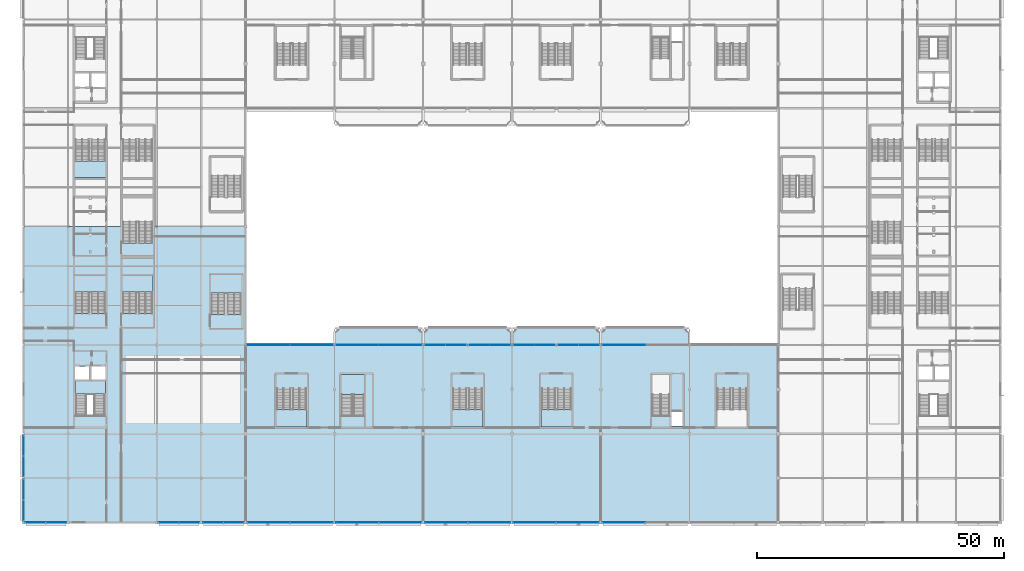
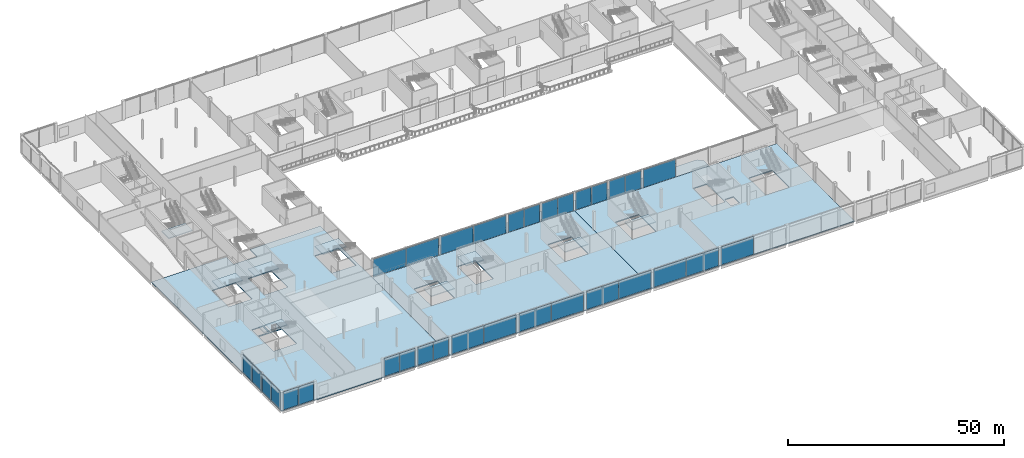
# One storey, part 60 of 113: 32 plates, 16 slabs, 26 elements without a shape of their own.
"""IFC4 building model written with IfcOpenShell, lengths in metres."""

from ifc_helpers import new_model, si_unit, direction, frame, origin, origin_2d, place, context, subcontext, project, spatial, polyline, rectangle, outline, extrude, material, layer, layer_set, type_object, element, aggregate, save


model = new_model("IFC4")

# Units and contexts
model_context = context("Model", 3, precision=1e-05, world=origin(), true_north=direction((0.0, 1.0)))
body_context = subcontext(model_context, "Body", "Model", "MODEL_VIEW")
ifc_project = project(units=[si_unit("LENGTHUNIT", "METRE"), si_unit("AREAUNIT", "SQUARE_METRE"), si_unit("VOLUMEUNIT", "CUBIC_METRE"), si_unit("PLANEANGLEUNIT", "RADIAN"), si_unit("MASSUNIT", "GRAM", prefix="KILO")], contexts=[model_context])

# Site, building, storey
site_placement = place(None, origin())
site = spatial("IfcSite", under=ifc_project, at=site_placement, CompositionType="ELEMENT")
building_placement = place(site_placement, origin())
building = spatial("IfcBuilding", under=site, at=building_placement, Name="Kisiwana Market Hall", CompositionType="ELEMENT")
storey_placement = place(building_placement, frame((0.0, 0.0, 6.0)))
storey = spatial("IfcBuildingStorey", under=building, at=storey_placement, Name="L01", CompositionType="ELEMENT", Elevation=6.0)

# Curtain wall, plates
ifc_material_1 = material(Name="Double-glazed solar-control low-E IGU", Category="glass")
ifc_layer_1 = layer(ifc_material_1, 0.159912109375)
ifc_layer_set_1 = layer_set([ifc_layer_1], Name="CW-FC-S-7600")
curtain_wall_type_1 = type_object("IfcCurtainWallType", Name="CW-FC-S-7600", PredefinedType="USERDEFINED", material=ifc_layer_set_1)
curtain_wall_1_placement = place(storey_placement, origin())
curtain_wall_1 = element("IfcCurtainWall", 1, at=curtain_wall_1_placement, inside=storey, type_object=curtain_wall_type_1, Name="Unitised curtain wall CW-005 (L01)", ObjectType="UNITISED CURTAIN WALL", PredefinedType="USERDEFINED")
ifc_material_2 = material(Name="Double-glazed solar-control low-E IGU", Category="glass")
ifc_layer_2 = layer(ifc_material_2, 0.02392578125)
ifc_layer_set_2 = layer_set([ifc_layer_2], Name="PL-IGU-24")
plate_type_1 = type_object("IfcPlateType", Name="PL-IGU-24", PredefinedType="CURTAIN_PANEL", material=ifc_layer_set_2)
plate_1_placement = place(storey_placement, frame((2.427490234375, 0.0, 0.06005859375), z_axis=(0.0, 0.0, 1.0), x_axis=(1.0, 0.0, 0.0)))
plate_1 = element("IfcPlate", 2, at=plate_1_placement, type_object=plate_type_1, Name="CW-005 panel 1.1", PredefinedType="CURTAIN_PANEL", context=body_context, shape_type="SweptSolid", body=[
    extrude(rectangle(XDim=4.0849609375, YDim=0.02392578125, at=origin_2d()), origin(), (0.0, 0.0, 1.0), 5.030029296875),
])
plate_2_placement = place(storey_placement, frame((6.572509765625, 0.0, 0.06005859375), z_axis=(0.0, 0.0, 1.0), x_axis=(1.0, 0.0, 0.0)))
plate_2 = element("IfcPlate", 3, at=plate_2_placement, type_object=plate_type_1, Name="CW-005 panel 2.1", PredefinedType="CURTAIN_PANEL", context=body_context, shape_type="SweptSolid", body=[
    extrude(rectangle(XDim=4.0849609375, YDim=0.02392578125, at=origin_2d()), origin(), (0.0, 0.0, 1.0), 5.030029296875),
])
aggregate(curtain_wall_1, [plate_1, plate_2])

curtain_wall_2_placement = place(storey_placement, origin())
curtain_wall_2 = element("IfcCurtainWall", 4, at=curtain_wall_2_placement, inside=storey, type_object=curtain_wall_type_1, Name="Unitised curtain wall CW-007 (L01)", ObjectType="UNITISED CURTAIN WALL", PredefinedType="USERDEFINED")
plate_3_placement = place(storey_placement, frame((38.427490234375, 0.0, 0.06005859375), z_axis=(0.0, 0.0, 1.0), x_axis=(1.0, 0.0, 0.0)))
plate_3 = element("IfcPlate", 5, at=plate_3_placement, type_object=plate_type_1, Name="CW-007 panel 1.1", PredefinedType="CURTAIN_PANEL", context=body_context, shape_type="SweptSolid", body=[
    extrude(rectangle(XDim=4.0849609375, YDim=0.02392578125, at=origin_2d()), origin(), (0.0, 0.0, 1.0), 5.030029296875),
])
plate_4_placement = place(storey_placement, frame((42.572509765625, 0.0, 0.06005859375), z_axis=(0.0, 0.0, 1.0), x_axis=(1.0, 0.0, 0.0)))
plate_4 = element("IfcPlate", 6, at=plate_4_placement, type_object=plate_type_1, Name="CW-007 panel 2.1", PredefinedType="CURTAIN_PANEL", context=body_context, shape_type="SweptSolid", body=[
    extrude(rectangle(XDim=4.0849609375, YDim=0.02392578125, at=origin_2d()), origin(), (0.0, 0.0, 1.0), 5.030029296875),
])
aggregate(curtain_wall_2, [plate_3, plate_4])

curtain_wall_3_placement = place(storey_placement, origin())
curtain_wall_3 = element("IfcCurtainWall", 7, at=curtain_wall_3_placement, inside=storey, type_object=curtain_wall_type_1, Name="Unitised curtain wall CW-009 (L01)", ObjectType="UNITISED CURTAIN WALL", PredefinedType="USERDEFINED")
plate_5_placement = place(storey_placement, frame((67.677490234375, 0.0, 0.06005859375), z_axis=(0.0, 0.0, 1.0), x_axis=(1.0, 0.0, 0.0)))
plate_5 = element("IfcPlate", 8, at=plate_5_placement, type_object=plate_type_1, Name="CW-009 panel 1.1", PredefinedType="CURTAIN_PANEL", context=body_context, shape_type="SweptSolid", body=[
    extrude(rectangle(XDim=8.5849609375, YDim=0.02392578125, at=origin_2d()), origin(), (0.0, 0.0, 1.0), 5.030029296875),
])
plate_6_placement = place(storey_placement, frame((76.322509765625, 0.0, 0.06005859375), z_axis=(0.0, 0.0, 1.0), x_axis=(1.0, 0.0, 0.0)))
plate_6 = element("IfcPlate", 9, at=plate_6_placement, type_object=plate_type_1, Name="CW-009 panel 2.1", PredefinedType="CURTAIN_PANEL", context=body_context, shape_type="SweptSolid", body=[
    extrude(rectangle(XDim=8.5849609375, YDim=0.02392578125, at=origin_2d()), origin(), (0.0, 0.0, 1.0), 5.030029296875),
])
aggregate(curtain_wall_3, [plate_5, plate_6])

curtain_wall_4_placement = place(storey_placement, origin())
curtain_wall_4 = element("IfcCurtainWall", 10, at=curtain_wall_4_placement, inside=storey, type_object=curtain_wall_type_1, Name="Unitised curtain wall CW-011 (L01)", ObjectType="UNITISED CURTAIN WALL", PredefinedType="USERDEFINED")
plate_7_placement = place(storey_placement, frame((103.677490234375, 0.0, 0.06005859375), z_axis=(0.0, 0.0, 1.0), x_axis=(1.0, 0.0, 0.0)))
plate_7 = element("IfcPlate", 11, at=plate_7_placement, type_object=plate_type_1, Name="CW-011 panel 1.1", PredefinedType="CURTAIN_PANEL", context=body_context, shape_type="SweptSolid", body=[
    extrude(rectangle(XDim=8.5849609375, YDim=0.02392578125, at=origin_2d()), origin(), (0.0, 0.0, 1.0), 5.030029296875),
])
plate_8_placement = place(storey_placement, frame((112.322509765625, 0.0, 0.06005859375), z_axis=(0.0, 0.0, 1.0), x_axis=(1.0, 0.0, 0.0)))
plate_8 = element("IfcPlate", 12, at=plate_8_placement, type_object=plate_type_1, Name="CW-011 panel 2.1", PredefinedType="CURTAIN_PANEL", context=body_context, shape_type="SweptSolid", body=[
    extrude(rectangle(XDim=8.5849609375, YDim=0.02392578125, at=origin_2d()), origin(), (0.0, 0.0, 1.0), 5.030029296875),
])
aggregate(curtain_wall_4, [plate_7, plate_8])

ifc_material_3 = material(Name="Double-glazed solar-control low-E IGU", Category="glass")
ifc_layer_3 = layer(ifc_material_3, 0.159912109375)
ifc_layer_set_3 = layer_set([ifc_layer_3], Name="CW-FC-N-8100")
curtain_wall_type_2 = type_object("IfcCurtainWallType", Name="CW-FC-N-8100", PredefinedType="USERDEFINED", material=ifc_layer_set_3)
curtain_wall_5_placement = place(storey_placement, origin())
curtain_wall_5 = element("IfcCurtainWall", 13, at=curtain_wall_5_placement, inside=storey, type_object=curtain_wall_type_2, Name="Unitised curtain wall CW-017 (L01)", ObjectType="UNITISED CURTAIN WALL", PredefinedType="USERDEFINED")
plate_9_placement = place(storey_placement, frame((49.617919921875, 36.0, 0.06005859375), z_axis=(0.0, 0.0, 1.0), x_axis=(1.0, 0.0, 0.0)))
plate_9 = element("IfcPlate", 14, at=plate_9_placement, type_object=plate_type_1, Name="CW-017 panel 1.1", PredefinedType="CURTAIN_PANEL", context=body_context, shape_type="SweptSolid", body=[
    extrude(rectangle(XDim=8.7041015625, YDim=0.02392578125, at=origin_2d()), origin(), (0.0, 0.0, 1.0), 5.030029296875),
])
plate_10_placement = place(storey_placement, frame((58.382080078125, 36.0, 0.06005859375), z_axis=(0.0, 0.0, 1.0), x_axis=(1.0, 0.0, 0.0)))
plate_10 = element("IfcPlate", 15, at=plate_10_placement, type_object=plate_type_1, Name="CW-017 panel 2.1", PredefinedType="CURTAIN_PANEL", context=body_context, shape_type="SweptSolid", body=[
    extrude(rectangle(XDim=8.7041015625, YDim=0.02392578125, at=origin_2d()), origin(), (0.0, 0.0, 1.0), 5.030029296875),
])
aggregate(curtain_wall_5, [plate_9, plate_10])

curtain_wall_6_placement = place(storey_placement, origin())
curtain_wall_6 = element("IfcCurtainWall", 16, at=curtain_wall_6_placement, inside=storey, type_object=curtain_wall_type_2, Name="Unitised curtain wall CW-019 (L01)", ObjectType="UNITISED CURTAIN WALL", PredefinedType="USERDEFINED")
plate_11_placement = place(storey_placement, frame((83.367919921875, 36.0, 0.06005859375), z_axis=(0.0, 0.0, 1.0), x_axis=(1.0, 0.0, 0.0)))
plate_11 = element("IfcPlate", 17, at=plate_11_placement, type_object=plate_type_1, Name="CW-019 panel 1.1", PredefinedType="CURTAIN_PANEL", context=body_context, shape_type="SweptSolid", body=[
    extrude(rectangle(XDim=4.2041015625, YDim=0.02392578125, at=origin_2d()), origin(), (0.0, 0.0, 1.0), 5.030029296875),
])
plate_12_placement = place(storey_placement, frame((87.632080078125, 36.0, 0.06005859375), z_axis=(0.0, 0.0, 1.0), x_axis=(1.0, 0.0, 0.0)))
plate_12 = element("IfcPlate", 18, at=plate_12_placement, type_object=plate_type_1, Name="CW-019 panel 2.1", PredefinedType="CURTAIN_PANEL", context=body_context, shape_type="SweptSolid", body=[
    extrude(rectangle(XDim=4.2041015625, YDim=0.02392578125, at=origin_2d()), origin(), (0.0, 0.0, 1.0), 5.030029296875),
])
aggregate(curtain_wall_6, [plate_11, plate_12])

curtain_wall_7_placement = place(storey_placement, origin())
curtain_wall_7 = element("IfcCurtainWall", 19, at=curtain_wall_7_placement, inside=storey, type_object=curtain_wall_type_2, Name="Unitised curtain wall CW-021 (L01)", ObjectType="UNITISED CURTAIN WALL", PredefinedType="USERDEFINED")
plate_13_placement = place(storey_placement, frame((101.367919921875, 36.0, 0.06005859375), z_axis=(0.0, 0.0, 1.0), x_axis=(1.0, 0.0, 0.0)))
plate_13 = element("IfcPlate", 20, at=plate_13_placement, type_object=plate_type_1, Name="CW-021 panel 1.1", PredefinedType="CURTAIN_PANEL", context=body_context, shape_type="SweptSolid", body=[
    extrude(rectangle(XDim=4.2041015625, YDim=0.02392578125, at=origin_2d()), origin(), (0.0, 0.0, 1.0), 5.030029296875),
])
plate_14_placement = place(storey_placement, frame((105.632080078125, 36.0, 0.06005859375), z_axis=(0.0, 0.0, 1.0), x_axis=(1.0, 0.0, 0.0)))
plate_14 = element("IfcPlate", 21, at=plate_14_placement, type_object=plate_type_1, Name="CW-021 panel 2.1", PredefinedType="CURTAIN_PANEL", context=body_context, shape_type="SweptSolid", body=[
    extrude(rectangle(XDim=4.2041015625, YDim=0.02392578125, at=origin_2d()), origin(), (0.0, 0.0, 1.0), 5.030029296875),
])
aggregate(curtain_wall_7, [plate_13, plate_14])

# Curtain wall, plate
curtain_wall_8_placement = place(storey_placement, origin())
curtain_wall_8 = element("IfcCurtainWall", 22, at=curtain_wall_8_placement, inside=storey, type_object=curtain_wall_type_2, Name="Unitised curtain wall CW-023 (L01)", ObjectType="UNITISED CURTAIN WALL", PredefinedType="USERDEFINED")
plate_15_placement = place(storey_placement, frame((121.617919921875, 36.0, 0.06005859375), z_axis=(0.0, 0.0, 1.0), x_axis=(1.0, 0.0, 0.0)))
plate_15 = element("IfcPlate", 23, at=plate_15_placement, type_object=plate_type_1, Name="CW-023 panel 1.1", PredefinedType="CURTAIN_PANEL", context=body_context, shape_type="SweptSolid", body=[
    extrude(rectangle(XDim=8.7041015625, YDim=0.02392578125, at=origin_2d()), origin(), (0.0, 0.0, 1.0), 5.030029296875),
])
aggregate(curtain_wall_8, [plate_15])

# Curtain wall, plates
curtain_wall_9_placement = place(storey_placement, origin())
curtain_wall_9 = element("IfcCurtainWall", 24, at=curtain_wall_9_placement, inside=storey, type_object=curtain_wall_type_1, Name="Unitised curtain wall CW-045 (L01)", ObjectType="UNITISED CURTAIN WALL", PredefinedType="USERDEFINED")
plate_16_placement = place(storey_placement, frame((0.0, 2.4580078125, 0.06005859375), z_axis=(0.0, 0.0, 1.0), x_axis=(0.0, 1.0, 0.0)))
plate_16 = element("IfcPlate", 25, at=plate_16_placement, type_object=plate_type_1, Name="CW-045 panel 1.1", PredefinedType="CURTAIN_PANEL", context=body_context, shape_type="SweptSolid", body=[
    extrude(rectangle(XDim=4.14599609375, YDim=0.02392578125, at=origin_2d()), origin(), (0.0, 0.0, 1.0), 5.030029296875),
])
plate_17_placement = place(storey_placement, frame((0.0, 6.663818359375, 0.06005859375), z_axis=(0.0, 0.0, 1.0), x_axis=(0.0, 1.0, 0.0)))
plate_17 = element("IfcPlate", 26, at=plate_17_placement, type_object=plate_type_1, Name="CW-045 panel 2.1", PredefinedType="CURTAIN_PANEL", context=body_context, shape_type="SweptSolid", body=[
    extrude(rectangle(XDim=4.14599609375, YDim=0.02392578125, at=origin_2d()), origin(), (0.0, 0.0, 1.0), 5.030029296875),
])
aggregate(curtain_wall_9, [plate_16, plate_17])

curtain_wall_10_placement = place(storey_placement, origin())
curtain_wall_10 = element("IfcCurtainWall", 27, at=curtain_wall_10_placement, inside=storey, type_object=curtain_wall_type_1, Name="Unitised curtain wall CW-006 (L01)", ObjectType="UNITISED CURTAIN WALL", PredefinedType="USERDEFINED")
ifc_material_4 = material(Name="Double-glazed acoustic laminated IGU", Category="glass")
ifc_layer_4 = layer(ifc_material_4, 0.028076171875)
ifc_layer_set_4 = layer_set([ifc_layer_4], Name="PL-IGU-28")
plate_type_2 = type_object("IfcPlateType", Name="PL-IGU-28", PredefinedType="CURTAIN_PANEL", material=ifc_layer_set_4)
plate_18_placement = place(storey_placement, frame((29.427490234375, 0.0, 0.06005859375), z_axis=(0.0, 0.0, 1.0), x_axis=(1.0, 0.0, 0.0)))
plate_18 = element("IfcPlate", 28, at=plate_18_placement, type_object=plate_type_2, Name="CW-006 panel 1.1", PredefinedType="CURTAIN_PANEL", context=body_context, shape_type="SweptSolid", body=[
    extrude(rectangle(XDim=4.0849609375, YDim=0.028076171875, at=origin_2d()), origin(), (0.0, 0.0, 1.0), 5.030029296875),
])
plate_19_placement = place(storey_placement, frame((33.572509765625, 0.0, 0.06005859375), z_axis=(0.0, 0.0, 1.0), x_axis=(1.0, 0.0, 0.0)))
plate_19 = element("IfcPlate", 29, at=plate_19_placement, type_object=plate_type_2, Name="CW-006 panel 2.1", PredefinedType="CURTAIN_PANEL", context=body_context, shape_type="SweptSolid", body=[
    extrude(rectangle(XDim=4.0849609375, YDim=0.028076171875, at=origin_2d()), origin(), (0.0, 0.0, 1.0), 5.030029296875),
])
aggregate(curtain_wall_10, [plate_18, plate_19])

curtain_wall_11_placement = place(storey_placement, origin())
curtain_wall_11 = element("IfcCurtainWall", 30, at=curtain_wall_11_placement, inside=storey, type_object=curtain_wall_type_1, Name="Unitised curtain wall CW-008 (L01)", ObjectType="UNITISED CURTAIN WALL", PredefinedType="USERDEFINED")
plate_20_placement = place(storey_placement, frame((49.677490234375, 0.0, 0.06005859375), z_axis=(0.0, 0.0, 1.0), x_axis=(1.0, 0.0, 0.0)))
plate_20 = element("IfcPlate", 31, at=plate_20_placement, type_object=plate_type_2, Name="CW-008 panel 1.1", PredefinedType="CURTAIN_PANEL", context=body_context, shape_type="SweptSolid", body=[
    extrude(rectangle(XDim=8.5849609375, YDim=0.028076171875, at=origin_2d()), origin(), (0.0, 0.0, 1.0), 5.030029296875),
])
plate_21_placement = place(storey_placement, frame((58.322509765625, 0.0, 0.06005859375), z_axis=(0.0, 0.0, 1.0), x_axis=(1.0, 0.0, 0.0)))
plate_21 = element("IfcPlate", 32, at=plate_21_placement, type_object=plate_type_2, Name="CW-008 panel 2.1", PredefinedType="CURTAIN_PANEL", context=body_context, shape_type="SweptSolid", body=[
    extrude(rectangle(XDim=8.5849609375, YDim=0.028076171875, at=origin_2d()), origin(), (0.0, 0.0, 1.0), 5.030029296875),
])
aggregate(curtain_wall_11, [plate_20, plate_21])

curtain_wall_12_placement = place(storey_placement, origin())
curtain_wall_12 = element("IfcCurtainWall", 33, at=curtain_wall_12_placement, inside=storey, type_object=curtain_wall_type_1, Name="Unitised curtain wall CW-010 (L01)", ObjectType="UNITISED CURTAIN WALL", PredefinedType="USERDEFINED")
plate_22_placement = place(storey_placement, frame((85.677490234375, 0.0, 0.06005859375), z_axis=(0.0, 0.0, 1.0), x_axis=(1.0, 0.0, 0.0)))
plate_22 = element("IfcPlate", 34, at=plate_22_placement, type_object=plate_type_2, Name="CW-010 panel 1.1", PredefinedType="CURTAIN_PANEL", context=body_context, shape_type="SweptSolid", body=[
    extrude(rectangle(XDim=8.5849609375, YDim=0.028076171875, at=origin_2d()), origin(), (0.0, 0.0, 1.0), 5.030029296875),
])
plate_23_placement = place(storey_placement, frame((94.322509765625, 0.0, 0.06005859375), z_axis=(0.0, 0.0, 1.0), x_axis=(1.0, 0.0, 0.0)))
plate_23 = element("IfcPlate", 35, at=plate_23_placement, type_object=plate_type_2, Name="CW-010 panel 2.1", PredefinedType="CURTAIN_PANEL", context=body_context, shape_type="SweptSolid", body=[
    extrude(rectangle(XDim=8.5849609375, YDim=0.028076171875, at=origin_2d()), origin(), (0.0, 0.0, 1.0), 5.030029296875),
])
aggregate(curtain_wall_12, [plate_22, plate_23])

# Curtain wall, plate
curtain_wall_13_placement = place(storey_placement, origin())
curtain_wall_13 = element("IfcCurtainWall", 36, at=curtain_wall_13_placement, inside=storey, type_object=curtain_wall_type_1, Name="Unitised curtain wall CW-012 (L01)", ObjectType="UNITISED CURTAIN WALL", PredefinedType="USERDEFINED")
plate_24_placement = place(storey_placement, frame((121.677490234375, 0.0, 0.06005859375), z_axis=(0.0, 0.0, 1.0), x_axis=(1.0, 0.0, 0.0)))
plate_24 = element("IfcPlate", 37, at=plate_24_placement, type_object=plate_type_2, Name="CW-012 panel 1.1", PredefinedType="CURTAIN_PANEL", context=body_context, shape_type="SweptSolid", body=[
    extrude(rectangle(XDim=8.5849609375, YDim=0.028076171875, at=origin_2d()), origin(), (0.0, 0.0, 1.0), 5.030029296875),
])
aggregate(curtain_wall_13, [plate_24])

# Curtain wall, plates
curtain_wall_14_placement = place(storey_placement, origin())
curtain_wall_14 = element("IfcCurtainWall", 38, at=curtain_wall_14_placement, inside=storey, type_object=curtain_wall_type_2, Name="Unitised curtain wall CW-018 (L01)", ObjectType="UNITISED CURTAIN WALL", PredefinedType="USERDEFINED")
plate_25_placement = place(storey_placement, frame((67.617919921875, 36.0, 0.06005859375), z_axis=(0.0, 0.0, 1.0), x_axis=(1.0, 0.0, 0.0)))
plate_25 = element("IfcPlate", 39, at=plate_25_placement, type_object=plate_type_2, Name="CW-018 panel 1.1", PredefinedType="CURTAIN_PANEL", context=body_context, shape_type="SweptSolid", body=[
    extrude(rectangle(XDim=8.7041015625, YDim=0.028076171875, at=origin_2d()), origin(), (0.0, 0.0, 1.0), 5.030029296875),
])
plate_26_placement = place(storey_placement, frame((76.382080078125, 36.0, 0.06005859375), z_axis=(0.0, 0.0, 1.0), x_axis=(1.0, 0.0, 0.0)))
plate_26 = element("IfcPlate", 40, at=plate_26_placement, type_object=plate_type_2, Name="CW-018 panel 2.1", PredefinedType="CURTAIN_PANEL", context=body_context, shape_type="SweptSolid", body=[
    extrude(rectangle(XDim=8.7041015625, YDim=0.028076171875, at=origin_2d()), origin(), (0.0, 0.0, 1.0), 5.030029296875),
])
aggregate(curtain_wall_14, [plate_25, plate_26])

curtain_wall_15_placement = place(storey_placement, origin())
curtain_wall_15 = element("IfcCurtainWall", 41, at=curtain_wall_15_placement, inside=storey, type_object=curtain_wall_type_2, Name="Unitised curtain wall CW-020 (L01)", ObjectType="UNITISED CURTAIN WALL", PredefinedType="USERDEFINED")
plate_27_placement = place(storey_placement, frame((92.367919921875, 36.0, 0.06005859375), z_axis=(0.0, 0.0, 1.0), x_axis=(1.0, 0.0, 0.0)))
plate_27 = element("IfcPlate", 42, at=plate_27_placement, type_object=plate_type_2, Name="CW-020 panel 1.1", PredefinedType="CURTAIN_PANEL", context=body_context, shape_type="SweptSolid", body=[
    extrude(rectangle(XDim=4.2041015625, YDim=0.028076171875, at=origin_2d()), origin(), (0.0, 0.0, 1.0), 5.030029296875),
])
plate_28_placement = place(storey_placement, frame((96.632080078125, 36.0, 0.06005859375), z_axis=(0.0, 0.0, 1.0), x_axis=(1.0, 0.0, 0.0)))
plate_28 = element("IfcPlate", 43, at=plate_28_placement, type_object=plate_type_2, Name="CW-020 panel 2.1", PredefinedType="CURTAIN_PANEL", context=body_context, shape_type="SweptSolid", body=[
    extrude(rectangle(XDim=4.2041015625, YDim=0.028076171875, at=origin_2d()), origin(), (0.0, 0.0, 1.0), 5.030029296875),
])
aggregate(curtain_wall_15, [plate_27, plate_28])

curtain_wall_16_placement = place(storey_placement, origin())
curtain_wall_16 = element("IfcCurtainWall", 44, at=curtain_wall_16_placement, inside=storey, type_object=curtain_wall_type_2, Name="Unitised curtain wall CW-022 (L01)", ObjectType="UNITISED CURTAIN WALL", PredefinedType="USERDEFINED")
plate_29_placement = place(storey_placement, frame((110.367919921875, 36.0, 0.06005859375), z_axis=(0.0, 0.0, 1.0), x_axis=(1.0, 0.0, 0.0)))
plate_29 = element("IfcPlate", 45, at=plate_29_placement, type_object=plate_type_2, Name="CW-022 panel 1.1", PredefinedType="CURTAIN_PANEL", context=body_context, shape_type="SweptSolid", body=[
    extrude(rectangle(XDim=4.2041015625, YDim=0.028076171875, at=origin_2d()), origin(), (0.0, 0.0, 1.0), 5.030029296875),
])
plate_30_placement = place(storey_placement, frame((114.632080078125, 36.0, 0.06005859375), z_axis=(0.0, 0.0, 1.0), x_axis=(1.0, 0.0, 0.0)))
plate_30 = element("IfcPlate", 46, at=plate_30_placement, type_object=plate_type_2, Name="CW-022 panel 2.1", PredefinedType="CURTAIN_PANEL", context=body_context, shape_type="SweptSolid", body=[
    extrude(rectangle(XDim=4.2041015625, YDim=0.028076171875, at=origin_2d()), origin(), (0.0, 0.0, 1.0), 5.030029296875),
])
aggregate(curtain_wall_16, [plate_29, plate_30])

curtain_wall_17_placement = place(storey_placement, origin())
curtain_wall_17 = element("IfcCurtainWall", 47, at=curtain_wall_17_placement, inside=storey, type_object=curtain_wall_type_1, Name="Unitised curtain wall CW-046 (L01)", ObjectType="UNITISED CURTAIN WALL", PredefinedType="USERDEFINED")
plate_31_placement = place(storey_placement, frame((0.0, 11.363037109375, 0.06005859375), z_axis=(0.0, 0.0, 1.0), x_axis=(0.0, 1.0, 0.0)))
plate_31 = element("IfcPlate", 48, at=plate_31_placement, type_object=plate_type_2, Name="CW-046 panel 1.1", PredefinedType="CURTAIN_PANEL", context=body_context, shape_type="SweptSolid", body=[
    extrude(rectangle(XDim=4.19970703125, YDim=0.028076171875, at=origin_2d()), origin(), (0.0, 0.0, 1.0), 5.030029296875),
])
plate_32_placement = place(storey_placement, frame((0.0, 15.62255859375, 0.06005859375), z_axis=(0.0, 0.0, 1.0), x_axis=(0.0, 1.0, 0.0)))
plate_32 = element("IfcPlate", 49, at=plate_32_placement, type_object=plate_type_2, Name="CW-046 panel 2.1", PredefinedType="CURTAIN_PANEL", context=body_context, shape_type="SweptSolid", body=[
    extrude(rectangle(XDim=4.19970703125, YDim=0.028076171875, at=origin_2d()), origin(), (0.0, 0.0, 1.0), 5.030029296875),
])
aggregate(curtain_wall_17, [plate_31, plate_32])

# Stair, slab
ifc_material_5 = material(Name="Concrete C32/40", Category="concrete")
stair_type_1 = type_object("IfcStairType", Name="ST-POD-5400", PredefinedType="TWO_STRAIGHT_RUN_STAIR", material=ifc_material_5)
stair_1_placement = place(storey_placement, origin())
stair_1 = element("IfcStair", 50, at=stair_1_placement, inside=storey, type_object=stair_type_1, Name="Escape stair ST-W2-L01", PredefinedType="TWO_STRAIGHT_RUN_STAIR")
ifc_material_6 = material(Name="Concrete C32/40", Category="concrete")
ifc_layer_5 = layer(ifc_material_6, 0.239990234375)
ifc_layer_set_5 = layer_set([ifc_layer_5], Name="SL-LANDING-160")
slab_type_1 = type_object("IfcSlabType", Name="SL-LANDING-160", PredefinedType="LANDING", material=ifc_layer_set_5)
slab_1_placement = place(storey_placement, frame((0.0, 0.0, 2.4599609375)))
slab_1 = element("IfcSlab", 51, at=slab_1_placement, type_object=slab_type_1, Name="ST-W2-L01 landing 1 S-130", PredefinedType="LANDING", context=body_context, shape_type="SweptSolid", body=[
    extrude(outline(polyline([(10.405029296875, 26.02392578125), (16.594970703125, 26.02392578125), (16.594970703125, 28.64501953125), (10.405029296875, 28.64501953125), (10.405029296875, 26.02392578125)])), origin(), (0.0, 0.0, 1.0), 0.239990234375),
])
aggregate(stair_1, [slab_1])

stair_2_placement = place(storey_placement, origin())
stair_2 = element("IfcStair", 52, at=stair_2_placement, inside=storey, type_object=stair_type_1, Name="Escape stair ST-S1-L01", PredefinedType="TWO_STRAIGHT_RUN_STAIR")
slab_2_placement = place(storey_placement, frame((0.0, 0.0, 2.4599609375)))
slab_2 = element("IfcSlab", 53, at=slab_2_placement, type_object=slab_type_1, Name="ST-S1-L01 landing 1 S-122", PredefinedType="LANDING", context=body_context, shape_type="SweptSolid", body=[
    extrude(outline(polyline([(64.360107421875, 25.97900390625), (69.10009765625, 25.97900390625), (69.10009765625, 30.0400390625), (64.360107421875, 30.0400390625), (64.360107421875, 25.97900390625)])), origin(), (0.0, 0.0, 1.0), 0.239990234375),
])
aggregate(stair_2, [slab_2])

ifc_material_7 = material(Name="Concrete C32/40", Category="concrete")
stair_type_2 = type_object("IfcStairType", Name="ST-ESC-5400", PredefinedType="TWO_STRAIGHT_RUN_STAIR", material=ifc_material_7)
stair_3_placement = place(storey_placement, origin())
stair_3 = element("IfcStair", 54, at=stair_3_placement, inside=storey, type_object=stair_type_2, Name="Escape stair ST-W3-L01", PredefinedType="TWO_STRAIGHT_RUN_STAIR")
slab_3_placement = place(storey_placement, frame((0.0, 0.0, 2.4599609375)))
slab_3 = element("IfcSlab", 55, at=slab_3_placement, type_object=slab_type_1, Name="ST-W3-L01 landing 1 S-131", PredefinedType="LANDING", context=body_context, shape_type="SweptSolid", body=[
    extrude(outline(polyline([(10.340087890625, 46.70947265625), (16.659912109375, 46.70947265625), (16.659912109375, 50.06005859375), (10.340087890625, 50.06005859375), (10.340087890625, 46.70947265625)])), origin(), (0.0, 0.0, 1.0), 0.239990234375),
])
aggregate(stair_3, [slab_3])

stair_4_placement = place(storey_placement, origin())
stair_4 = element("IfcStair", 56, at=stair_4_placement, inside=storey, type_object=stair_type_2, Name="Escape stair ST-W4-L01", PredefinedType="TWO_STRAIGHT_RUN_STAIR")
slab_4_placement = place(storey_placement, frame((0.0, 0.0, 2.4599609375)))
slab_4 = element("IfcSlab", 57, at=slab_4_placement, type_object=slab_type_1, Name="ST-W4-L01 landing 1 S-132", PredefinedType="LANDING", context=body_context, shape_type="SweptSolid", body=[
    extrude(outline(polyline([(10.340087890625, 69.93994140625), (16.659912109375, 69.93994140625), (16.659912109375, 73.29052734375), (10.340087890625, 73.29052734375), (10.340087890625, 69.93994140625)])), origin(), (0.0, 0.0, 1.0), 0.239990234375),
])
aggregate(stair_4, [slab_4])

stair_5_placement = place(storey_placement, origin())
stair_5 = element("IfcStair", 58, at=stair_5_placement, inside=storey, type_object=stair_type_2, Name="Escape stair ST-W7-L01", PredefinedType="TWO_STRAIGHT_RUN_STAIR")
slab_5_placement = place(storey_placement, frame((0.0, 0.0, 2.4599609375)))
slab_5 = element("IfcSlab", 59, at=slab_5_placement, type_object=slab_type_1, Name="ST-W7-L01 landing 1 S-134", PredefinedType="LANDING", context=body_context, shape_type="SweptSolid", body=[
    extrude(outline(polyline([(19.93994140625, 46.70947265625), (26.260009765625, 46.70947265625), (26.260009765625, 50.06005859375), (19.93994140625, 50.06005859375), (19.93994140625, 46.70947265625)])), origin(), (0.0, 0.0, 1.0), 0.239990234375),
])
aggregate(stair_5, [slab_5])

stair_6_placement = place(storey_placement, origin())
stair_6 = element("IfcStair", 60, at=stair_6_placement, inside=storey, type_object=stair_type_2, Name="Escape stair ST-W9-L01", PredefinedType="TWO_STRAIGHT_RUN_STAIR")
slab_6_placement = place(storey_placement, frame((0.0, 0.0, 2.4599609375)))
slab_6 = element("IfcSlab", 61, at=slab_6_placement, type_object=slab_type_1, Name="ST-W9-L01 landing 1 S-136", PredefinedType="LANDING", context=body_context, shape_type="SweptSolid", body=[
    extrude(outline(polyline([(37.909912109375, 46.509521484375), (44.22998046875, 46.509521484375), (44.22998046875, 50.260009765625), (37.909912109375, 50.260009765625), (37.909912109375, 46.509521484375)])), origin(), (0.0, 0.0, 1.0), 0.239990234375),
])
aggregate(stair_6, [slab_6])

stair_7_placement = place(storey_placement, origin())
stair_7 = element("IfcStair", 62, at=stair_7_placement, inside=storey, type_object=stair_type_2, Name="Escape stair ST-S3-L01", PredefinedType="TWO_STRAIGHT_RUN_STAIR")
slab_7_placement = place(storey_placement, frame((0.0, 0.0, 2.4599609375)))
slab_7 = element("IfcSlab", 63, at=slab_7_placement, type_object=slab_type_1, Name="ST-S3-L01 landing 1 S-124", PredefinedType="LANDING", context=body_context, shape_type="SweptSolid", body=[
    extrude(outline(polyline([(51.139892578125, 19.340087890625), (57.4599609375, 19.340087890625), (57.4599609375, 22.890380859375), (51.139892578125, 22.890380859375), (51.139892578125, 19.340087890625)])), origin(), (0.0, 0.0, 1.0), 0.239990234375),
])
aggregate(stair_7, [slab_7])

stair_8_placement = place(storey_placement, origin())
stair_8 = element("IfcStair", 64, at=stair_8_placement, inside=storey, type_object=stair_type_2, Name="Escape stair ST-S4-L01", PredefinedType="TWO_STRAIGHT_RUN_STAIR")
slab_8_placement = place(storey_placement, frame((0.0, 0.0, 2.4599609375)))
slab_8 = element("IfcSlab", 65, at=slab_8_placement, type_object=slab_type_1, Name="ST-S4-L01 landing 1 S-125", PredefinedType="LANDING", context=body_context, shape_type="SweptSolid", body=[
    extrude(outline(polyline([(86.840087890625, 19.340087890625), (93.159912109375, 19.340087890625), (93.159912109375, 22.890380859375), (86.840087890625, 22.890380859375), (86.840087890625, 19.340087890625)])), origin(), (0.0, 0.0, 1.0), 0.239990234375),
])
aggregate(stair_8, [slab_8])

stair_9_placement = place(storey_placement, origin())
stair_9 = element("IfcStair", 66, at=stair_9_placement, inside=storey, type_object=stair_type_2, Name="Escape stair ST-S5-L01", PredefinedType="TWO_STRAIGHT_RUN_STAIR")
slab_9_placement = place(storey_placement, frame((0.0, 0.0, 2.4599609375)))
slab_9 = element("IfcSlab", 67, at=slab_9_placement, type_object=slab_type_1, Name="ST-S5-L01 landing 1 S-126", PredefinedType="LANDING", context=body_context, shape_type="SweptSolid", body=[
    extrude(outline(polyline([(104.840087890625, 19.340087890625), (111.159912109375, 19.340087890625), (111.159912109375, 22.890380859375), (104.840087890625, 22.890380859375), (104.840087890625, 19.340087890625)])), origin(), (0.0, 0.0, 1.0), 0.239990234375),
])
aggregate(stair_9, [slab_9])

# Slabs
ifc_material_8 = material(Name="Concrete C32/40", Category="concrete")
ifc_layer_6 = layer(ifc_material_8, 0.25)
ifc_layer_set_6 = layer_set([ifc_layer_6], Name="SL-POD-220")
slab_type_2 = type_object("IfcSlabType", Name="SL-POD-220", PredefinedType="FLOOR", material=ifc_layer_set_6)
slab_10_placement = place(storey_placement, frame((0.0, 0.0, -0.25)))
element("IfcSlab", 68, at=slab_10_placement, inside=storey, type_object=slab_type_2, Name="Structural slab S-091", PredefinedType="FLOOR", context=body_context, shape_type="SweptSolid", body=[
    extrude(outline(polyline([(0.0, 0.0), (45.0, 0.0), (45.0, 60.0), (26.239990234375, 60.0), (26.239990234375, 56.659912109375), (19.9599609375, 56.659912109375), (19.9599609375, 60.0), (0.0, 60.0), (0.0, 0.0)]), holes=[polyline([(10.425048828125, 21.675048828125), (16.574951171875, 21.675048828125), (16.574951171875, 28.625), (10.425048828125, 28.625), (10.425048828125, 21.675048828125)]), polyline([(10.425048828125, 28.945068359375), (13.340087890625, 28.945068359375), (13.340087890625, 31.675048828125), (10.425048828125, 31.675048828125), (10.425048828125, 28.945068359375)]), polyline([(13.659912109375, 28.945068359375), (16.574951171875, 28.945068359375), (16.574951171875, 31.675048828125), (13.659912109375, 31.675048828125), (13.659912109375, 28.945068359375)]), polyline([(10.360107421875, 42.3798828125), (16.639892578125, 42.3798828125), (16.639892578125, 50.0400390625), (10.360107421875, 50.0400390625), (10.360107421875, 42.3798828125)]), polyline([(19.9599609375, 42.3798828125), (26.239990234375, 42.3798828125), (26.239990234375, 50.0400390625), (19.9599609375, 50.0400390625), (19.9599609375, 42.3798828125)]), polyline([(37.929931640625, 42.179931640625), (44.2099609375, 42.179931640625), (44.2099609375, 50.239990234375), (37.929931640625, 50.239990234375), (37.929931640625, 42.179931640625)])]), origin(), (0.0, 0.0, 1.0), 0.25),
])
slab_11_placement = place(storey_placement, frame((0.0, 0.0, -0.25)))
element("IfcSlab", 69, at=slab_11_placement, inside=storey, type_object=slab_type_2, Name="Structural slab S-095", PredefinedType="FLOOR", context=body_context, shape_type="SweptSolid", body=[
    extrude(outline(polyline([(45.0, 0.0), (99.0, 0.0), (99.0, 36.0), (45.0, 36.0), (45.0, 0.0)]), holes=[polyline([(64.3798828125, 21.6298828125), (69.080078125, 21.6298828125), (69.080078125, 30.02001953125), (64.3798828125, 30.02001953125), (64.3798828125, 21.6298828125)]), polyline([(51.159912109375, 19.360107421875), (57.43994140625, 19.360107421875), (57.43994140625, 27.219970703125), (51.159912109375, 27.219970703125), (51.159912109375, 19.360107421875)]), polyline([(86.860107421875, 19.360107421875), (93.139892578125, 19.360107421875), (93.139892578125, 27.219970703125), (86.860107421875, 27.219970703125), (86.860107421875, 19.360107421875)])]), origin(), (0.0, 0.0, 1.0), 0.25),
])
slab_12_placement = place(storey_placement, frame((0.0, 0.0, -0.25)))
element("IfcSlab", 70, at=slab_12_placement, inside=storey, type_object=slab_type_2, Name="Structural slab S-096", PredefinedType="FLOOR", context=body_context, shape_type="SweptSolid", body=[
    extrude(outline(polyline([(99.0, 0.0), (153.0, 0.0), (153.0, 36.0), (99.0, 36.0), (99.0, 0.0)]), holes=[polyline([(127.3798828125, 21.6298828125), (130.97998046875, 21.6298828125), (130.97998046875, 30.02001953125), (127.3798828125, 30.02001953125), (127.3798828125, 21.6298828125)]), polyline([(131.300048828125, 19.580078125), (133.6201171875, 19.580078125), (133.6201171875, 22.47998046875), (131.300048828125, 22.47998046875), (131.300048828125, 19.580078125)]), polyline([(104.860107421875, 19.360107421875), (111.139892578125, 19.360107421875), (111.139892578125, 27.219970703125), (104.860107421875, 27.219970703125), (104.860107421875, 19.360107421875)]), polyline([(140.4599609375, 19.360107421875), (146.739990234375, 19.360107421875), (146.739990234375, 27.219970703125), (140.4599609375, 27.219970703125), (140.4599609375, 19.360107421875)])]), origin(), (0.0, 0.0, 1.0), 0.25),
])
ifc_material_9 = material(Name="Concrete C32/40", Category="concrete")
ifc_layer_7 = layer(ifc_material_9, 0.199951171875)
ifc_layer_set_7 = layer_set([ifc_layer_7], Name="SL-PROW-200")
slab_type_3 = type_object("IfcSlabType", Name="SL-PROW-200", PredefinedType="FLOOR", material=ifc_layer_set_7)
slab_13_placement = place(storey_placement, frame((0.0, 0.0, -0.199951171875)))
element("IfcSlab", 71, at=slab_13_placement, inside=storey, type_object=slab_type_3, Name="Food court dining prow slab S-103", PredefinedType="FLOOR", context=body_context, shape_type="SweptSolid", body=[
    extrude(outline(polyline([(63.0, 36.0), (81.0, 36.0), (81.0, 38.39990234375), (79.800048828125, 39.60009765625), (64.199951171875, 39.60009765625), (63.0, 38.39990234375), (63.0, 36.0)])), origin(), (0.0, 0.0, 1.0), 0.199951171875),
])
slab_14_placement = place(storey_placement, frame((0.0, 0.0, -0.199951171875)))
element("IfcSlab", 72, at=slab_14_placement, inside=storey, type_object=slab_type_3, Name="Food court dining prow slab S-104", PredefinedType="FLOOR", context=body_context, shape_type="SweptSolid", body=[
    extrude(outline(polyline([(81.0, 36.0), (99.0, 36.0), (99.0, 38.39990234375), (97.800048828125, 39.60009765625), (82.199951171875, 39.60009765625), (81.0, 38.39990234375), (81.0, 36.0)])), origin(), (0.0, 0.0, 1.0), 0.199951171875),
])
slab_15_placement = place(storey_placement, frame((0.0, 0.0, -0.199951171875)))
element("IfcSlab", 73, at=slab_15_placement, inside=storey, type_object=slab_type_3, Name="Food court dining prow slab S-105", PredefinedType="FLOOR", context=body_context, shape_type="SweptSolid", body=[
    extrude(outline(polyline([(99.0, 36.0), (117.0, 36.0), (117.0, 38.39990234375), (115.800048828125, 39.60009765625), (100.199951171875, 39.60009765625), (99.0, 38.39990234375), (99.0, 36.0)])), origin(), (0.0, 0.0, 1.0), 0.199951171875),
])
slab_16_placement = place(storey_placement, frame((0.0, 0.0, -0.199951171875)))
element("IfcSlab", 74, at=slab_16_placement, inside=storey, type_object=slab_type_3, Name="Food court dining prow slab S-106", PredefinedType="FLOOR", context=body_context, shape_type="SweptSolid", body=[
    extrude(outline(polyline([(117.0, 36.0), (135.0, 36.0), (135.0, 38.39990234375), (133.800048828125, 39.60009765625), (118.199951171875, 39.60009765625), (117.0, 38.39990234375), (117.0, 36.0)])), origin(), (0.0, 0.0, 1.0), 0.199951171875),
])

save(model, "model.ifc")
